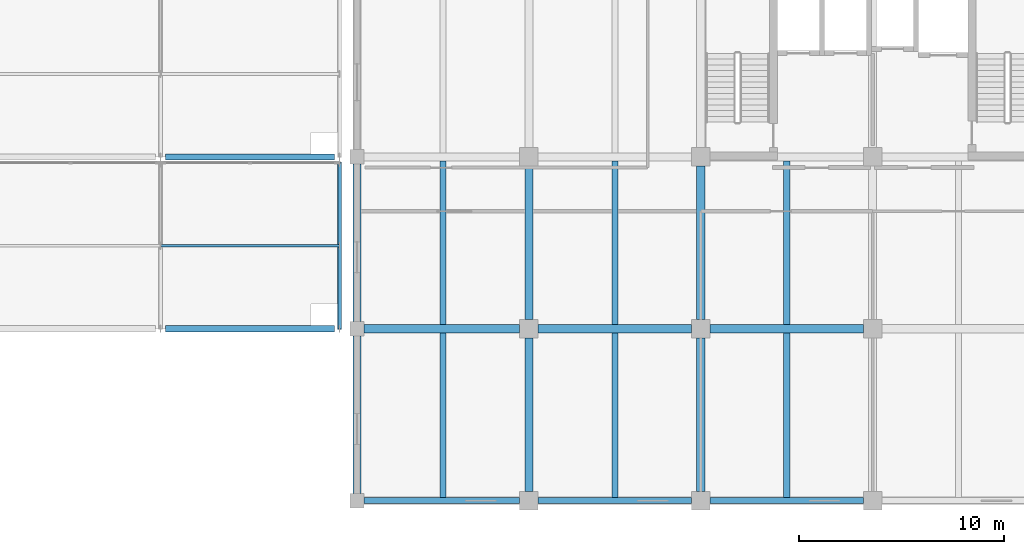
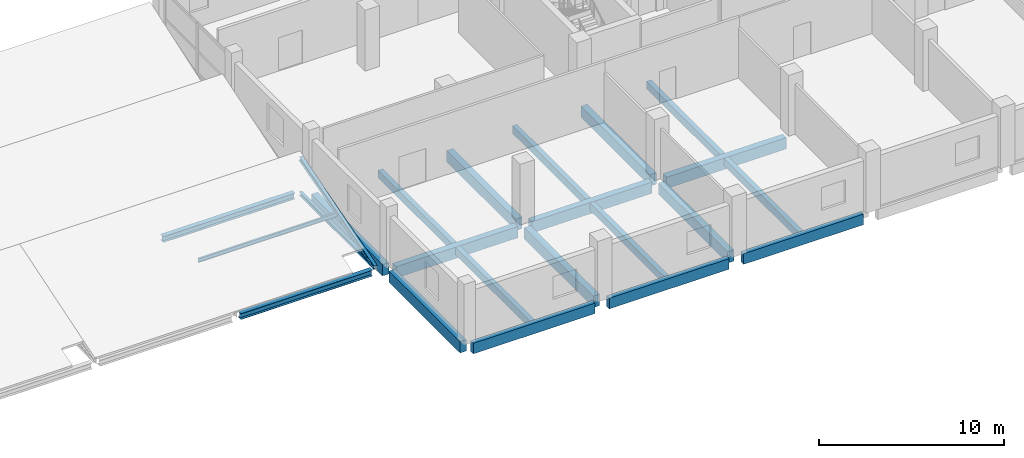
# One storey, part 21 of 40: 20 beams, 3 members.
"""IFC4 building model written with IfcOpenShell, lengths in metres."""

import ifcopenshell
import ifcopenshell.guid

model = None  # the IFC model being written
_history = None  # IfcOwnerHistory: only IFC2X3 demands one
_inside = {}  # id of a spatial element -> (the spatial element, [elements in it])
_under = {}  # id of a project, library or spatial element -> (it, [spatial elements below it])
_declared = {}  # id of a project -> (the project, [libraries it declares])
_typed = {}  # id of a type object -> (the type object, [elements of that type])
_made_of = {}  # id of a material, layer set ... -> (it, [elements and type objects made of it])


def new_model(schema):
    """Start an empty IFC model of exactly this schema.

    Asked for "IFC4X3", IfcOpenShell would pick the latest addendum, in which some entities
    have other attributes; the version numbers below select the first issue.
    IFC2X3 requires an IfcOwnerHistory on every rooted entity: one is made here for all.
    """
    global model, _history
    if schema == "IFC4X3":
        model = ifcopenshell.file(schema_version=(4, 3, 0, 0))
    else:
        model = ifcopenshell.file(schema=schema)
    _inside.clear()
    _under.clear()
    _declared.clear()
    _typed.clear()
    _made_of.clear()
    _history = None
    if model.schema == "IFC2X3":
        org = make("IfcOrganization", Name="unknown")
        user = make(
            "IfcPersonAndOrganization",
            ThePerson=make("IfcPerson", FamilyName="unknown"),
            TheOrganization=org,
        )
        app = make(
            "IfcApplication",
            ApplicationDeveloper=org,
            Version="unknown",
            ApplicationFullName="unknown",
            ApplicationIdentifier="unknown",
        )
        _history = make(
            "IfcOwnerHistory",
            OwningUser=user,
            OwningApplication=app,
            ChangeAction="ADDED",
            CreationDate=0,
        )
    return model


def make(cls, **values):
    """One entity of the class cls with the attributes given. An attribute that is None is left unset."""
    return model.create_entity(
        cls, **{name: value for name, value in values.items() if value is not None}
    )


def rooted(cls, **values):
    """An entity with a GlobalId (a new one), such as an element, a storey or a relation."""
    return make(cls, GlobalId=ifcopenshell.guid.new(), OwnerHistory=_history, **values)


def si_unit(unit_type, name, prefix=None):
    """IfcSIUnit, for example si_unit("LENGTHUNIT", "METRE", prefix="MILLI")."""
    return make("IfcSIUnit", UnitType=unit_type, Prefix=prefix, Name=name)


def assignment(units):
    """IfcUnitAssignment: the units of a project."""
    return None if units is None else make("IfcUnitAssignment", Units=units)


def point(xyz):
    """IfcCartesianPoint."""
    return None if xyz is None else make("IfcCartesianPoint", Coordinates=xyz)


def direction(xyz):
    """IfcDirection."""
    return None if xyz is None else make("IfcDirection", DirectionRatios=xyz)


def frame(location, z_axis=None, x_axis=None):
    """IfcAxis2Placement3D, a coordinate frame: its origin and axes. An axis left out is left unset."""
    return make(
        "IfcAxis2Placement3D",
        Location=point(location),
        Axis=direction(z_axis),
        RefDirection=direction(x_axis),
    )


def frame_2d(location, x_axis=None):
    """IfcAxis2Placement2D, a coordinate frame in the plane: its origin and x axis."""
    return make(
        "IfcAxis2Placement2D", Location=point(location), RefDirection=direction(x_axis)
    )


def origin():
    """The frame at (0, 0, 0) with its axes left unset."""
    return frame((0.0, 0.0, 0.0))


def origin_2d():
    """The frame at (0, 0) in the plane with its x axis left unset."""
    return frame_2d((0.0, 0.0))


def place(relative_to, where):
    """IfcLocalPlacement: puts the frame where relative to a parent placement (None: the world)."""
    return make(
        "IfcLocalPlacement", PlacementRelTo=relative_to, RelativePlacement=where
    )


def context(
    kind, dimensions, precision=None, world=None, true_north=None, identifier=None
):
    """IfcGeometricRepresentationContext, for example the 3D "Model" context."""
    return make(
        "IfcGeometricRepresentationContext",
        ContextIdentifier=identifier,
        ContextType=kind,
        CoordinateSpaceDimension=dimensions,
        Precision=precision,
        WorldCoordinateSystem=world,
        TrueNorth=true_north,
    )


def subcontext(parent, identifier, kind, view, scale=None):
    """IfcGeometricRepresentationSubContext, for example "Body" below "Model"."""
    return make(
        "IfcGeometricRepresentationSubContext",
        ContextIdentifier=identifier,
        ContextType=kind,
        ParentContext=parent,
        TargetScale=scale,
        TargetView=view,
    )


def project(units=None, contexts=None):
    """IfcProject with its units and contexts."""
    return rooted(
        "IfcProject",
        Name="project",
        RepresentationContexts=contexts,
        UnitsInContext=assignment(units),
    )


def spatial(cls, under=None, at=None, **own):
    """A site, building, storey or space (cls), placed at a placement, below another one or the project."""
    s = rooted(cls, ObjectPlacement=at, **own)
    if under is not None:
        _under.setdefault(under.id(), (under, []))[1].append(s)
    return s


def profile(cls, at=None, kind="AREA", **sizes):
    """A parametric profile (cls). Its sizes go by their IFC names, for example OverallWidth=200.0."""
    return make(cls, ProfileType=kind, Position=at, **sizes)


def rectangle(**sizes):
    """IfcRectangleProfileDef."""
    return profile("IfcRectangleProfileDef", **sizes)


def i_section(**sizes):
    """IfcIShapeProfileDef."""
    return profile("IfcIShapeProfileDef", **sizes)


def extrude(swept, where, along, depth):
    """IfcExtrudedAreaSolid: the profile swept, set in the frame where, extruded along a direction by depth."""
    return make(
        "IfcExtrudedAreaSolid",
        SweptArea=swept,
        Position=where,
        ExtrudedDirection=direction(along),
        Depth=depth,
    )


def shape(context_of_items, identifier, shape_type, items):
    """IfcShapeRepresentation: the items that make up one representation, for example the "Body"."""
    return make(
        "IfcShapeRepresentation",
        ContextOfItems=context_of_items,
        RepresentationIdentifier=identifier,
        RepresentationType=shape_type,
        Items=items,
    )


def material(Name=None, Category=None):
    """IfcMaterial."""
    return make("IfcMaterial", Name=Name, Category=Category)


def material_profile(
    of_material, cross_section, Name=None, Category=None, Priority=None
):
    """IfcMaterialProfile: a cross section and its material."""
    return make(
        "IfcMaterialProfile",
        Name=Name,
        Material=of_material,
        Profile=cross_section,
        Priority=Priority,
        Category=Category,
    )


def profile_set(profiles, Name=None, composite=None):
    """IfcMaterialProfileSet."""
    return make(
        "IfcMaterialProfileSet",
        Name=Name,
        MaterialProfiles=profiles,
        CompositeProfile=composite,
    )


def made_of(thing, what):
    """Note that an element or type object is made of a material, layer set ...; save() writes the relation."""
    if what is not None:
        _made_of.setdefault(what.id(), (what, []))[1].append(thing)
    return thing


def type_object(cls, material=None, **own):
    """A type object (cls), such as IfcWallType, which elements share."""
    return made_of(rooted(cls, **own), material)


def element(
    cls,
    number,
    at=None,
    inside=None,
    cuts=None,
    type_object=None,
    material=None,
    context=None,
    identifier="Body",
    shape_type=None,
    held_by="IfcProductDefinitionShape",
    body=None,
    shapes=None,
    **own,
):
    """One element of the class cls, such as IfcWall. Its Tag is "e" and its number.

    at: its placement. inside: the storey or other place that contains it. cuts: it is an
    opening in that element (IfcRelVoidsElement). A single representation is given by context,
    identifier, shape_type and body (its items); several are given by shapes. held_by: the class
    of the entity that holds the representations. save() writes the other relations.
    """
    e = rooted(cls, Tag="e%d" % number, ObjectPlacement=at, **own)
    if body is not None:
        shapes = [shape(context, identifier, shape_type, body)]
    if shapes is not None:
        e.Representation = make(held_by, Representations=shapes)
    if inside is not None:
        _inside.setdefault(inside.id(), (inside, []))[1].append(e)
    if cuts is not None:
        rooted(
            "IfcRelVoidsElement", RelatingBuildingElement=cuts, RelatedOpeningElement=e
        )
    if type_object is not None:
        _typed.setdefault(type_object.id(), (type_object, []))[1].append(e)
    return made_of(e, material)


def aggregate(whole, parts):
    """IfcRelAggregates: a whole, such as a stair, and the parts it consists of."""
    return rooted("IfcRelAggregates", RelatingObject=whole, RelatedObjects=parts)


def save(model, path):
    """Write the relations noted so far, then the file.

    IfcRelAggregates (storeys below a building ...), IfcRelContainedInSpatialStructure (elements
    in a storey), IfcRelDefinesByType, IfcRelAssociatesMaterial and IfcRelDeclares: one each for
    every whole, place, type object, material and project.
    """
    for whole, parts in _under.values():
        aggregate(whole, parts)
    for where, things in _inside.values():
        rooted(
            "IfcRelContainedInSpatialStructure",
            RelatedElements=things,
            RelatingStructure=where,
        )
    for kind, things in _typed.values():
        rooted("IfcRelDefinesByType", RelatedObjects=things, RelatingType=kind)
    for what, things in _made_of.values():
        rooted("IfcRelAssociatesMaterial", RelatedObjects=things, RelatingMaterial=what)
    for by, libraries in _declared.values():
        rooted("IfcRelDeclares", RelatingContext=by, RelatedDefinitions=libraries)
    model.write(path)


model = new_model("IFC4")

# Units and contexts
model_context = context("Model", 3, precision=1e-05, world=origin(), true_north=direction((0.0, 1.0)))
body_context = subcontext(model_context, "Body", "Model", "MODEL_VIEW")
ifc_project = project(units=[si_unit("LENGTHUNIT", "METRE"), si_unit("AREAUNIT", "SQUARE_METRE"), si_unit("VOLUMEUNIT", "CUBIC_METRE"), si_unit("PLANEANGLEUNIT", "RADIAN"), si_unit("MASSUNIT", "GRAM", prefix="KILO")], contexts=[model_context])

# Site, building, storey
site_placement = place(None, origin())
site = spatial("IfcSite", under=ifc_project, at=site_placement, CompositionType="ELEMENT")
building_placement = place(site_placement, origin())
building = spatial("IfcBuilding", under=site, at=building_placement, Name="Brinegate Botanical Conservatory", CompositionType="ELEMENT")
storey_placement = place(building_placement, frame((0.0, 0.0, 19.199951171875)))
storey = spatial("IfcBuildingStorey", under=building, at=storey_placement, Name="L05", CompositionType="ELEMENT", Elevation=19.199951171875)

# Beams
ifc_material_1 = material(Name="Structural steel Q355B / S355", Category="steel")
ifc_material_profile_1 = material_profile(ifc_material_1, i_section(OverallWidth=0.300048828125, OverallDepth=0.389892578125, WebThickness=0.010009765625, FlangeThickness=0.01611328125, at=origin_2d()), Name="HM 390x300x10x16")
ifc_profile_set_1 = profile_set([ifc_material_profile_1], Name="Structural steel Q355B / S355")
beam_type_1 = type_object("IfcBeamType", Name="Beam_BM-S5", PredefinedType="BEAM", material=ifc_profile_set_1)
for number, where, z_axis, x_axis, name in (
    (1, (112.64990234375, 86.800048828125, -0.179931640625), (1.0, 0.0, 0.0), (0.0, 1.0, 0.0), "Sawtooth valley girder BM-S5 B1.8"),
    (2, (112.64990234375, 95.199951171875, -0.179931640625), (1.0, 0.0, 0.0), (0.0, 1.0, 0.0), "Sawtooth valley girder BM-S5 B2.8"),
):
    element("IfcBeam", number, at=place(storey_placement, frame(where, z_axis=z_axis, x_axis=x_axis)), inside=storey, type_object=beam_type_1, Name=name, PredefinedType="BEAM", context=body_context, shape_type="SweptSolid", body=[
        extrude(i_section(OverallWidth=0.300048828125, OverallDepth=0.389892578125, WebThickness=0.010009765625, FlangeThickness=0.01611328125, at=origin_2d()), origin(), (0.0, 0.0, 1.0), 8.25),
    ])
ifc_material_2 = material(Name="Concrete C50/60", Category="concrete")
ifc_material_profile_2 = material_profile(ifc_material_2, rectangle(XDim=0.39990234375, YDim=0.75, at=origin_2d()), Name="RC BM 400x750")
ifc_profile_set_2 = profile_set([ifc_material_profile_2], Name="Concrete C50/60")
beam_type_2 = type_object("IfcBeamType", Name="Beam_BM-T1", PredefinedType="BEAM", material=ifc_profile_set_2)
beam_1_placement = place(storey_placement, frame((122.35009765625, 86.800048828125, -0.614990234375), z_axis=(1.0, 0.0, 0.0), x_axis=(0.0, 1.0, 0.0)))
element("IfcBeam", 3, at=beam_1_placement, inside=storey, type_object=beam_type_2, Name="Beam BM-T1 L05 L:16-17", PredefinedType="BEAM", context=body_context, shape_type="SweptSolid", body=[
    extrude(rectangle(XDim=0.39990234375, YDim=0.75, at=origin_2d()), origin(), (0.0, 0.0, 1.0), 7.599853515625),
])
for number, where, z_axis, x_axis, name in (
    (4, (130.85009765625, 86.800048828125, -0.614990234375), (1.0, 0.0, 0.0), (0.0, 1.0, 0.0), "Beam BM-T1 L05 L:17-18"),
    (5, (139.25, 86.800048828125, -0.614990234375), (1.0, 0.0, 0.0), (0.0, 1.0, 0.0), "Beam BM-T1 L05 L:18-19"),
):
    element("IfcBeam", number, at=place(storey_placement, frame(where, z_axis=z_axis, x_axis=x_axis)), inside=storey, type_object=beam_type_2, Name=name, PredefinedType="BEAM", context=body_context, shape_type="SweptSolid", body=[
        extrude(rectangle(XDim=0.39990234375, YDim=0.75, at=origin_2d()), origin(), (0.0, 0.0, 1.0), 7.5),
    ])
beam_2_placement = place(storey_placement, frame((122.0, 78.75, -0.614990234375), z_axis=(0.0, 1.0, 0.0), x_axis=(-1.0, 0.0, 0.0)))
element("IfcBeam", 6, at=beam_2_placement, inside=storey, type_object=beam_type_2, Name="Beam BM-T1 L05 16:K-L", PredefinedType="BEAM", context=body_context, shape_type="SweptSolid", body=[
    extrude(rectangle(XDim=0.39990234375, YDim=0.75, at=origin_2d()), origin(), (0.0, 0.0, 1.0), 7.699951171875),
])
beam_3_placement = place(storey_placement, frame((122.0, 87.14990234375, -0.614990234375), z_axis=(0.0, 1.0, 0.0), x_axis=(-1.0, 0.0, 0.0)))
element("IfcBeam", 7, at=beam_3_placement, inside=storey, type_object=beam_type_2, Name="Beam BM-T1 L05 16:L-M", PredefinedType="BEAM", context=body_context, shape_type="SweptSolid", body=[
    extrude(rectangle(XDim=0.39990234375, YDim=0.75, at=origin_2d()), origin(), (0.0, 0.0, 1.0), 7.7001953125),
])
for number, where, z_axis, x_axis, name in (
    (8, (130.39990234375, 78.85009765625, -0.614990234375), (0.0, 1.0, 0.0), (-1.0, 0.0, 0.0), "Beam BM-T1 L05 17:K-L"),
    (9, (130.39990234375, 87.25, -0.614990234375), (0.0, 1.0, 0.0), (-1.0, 0.0, 0.0), "Beam BM-T1 L05 17:L-M"),
    (10, (138.800048828125, 78.85009765625, -0.614990234375), (0.0, 1.0, 0.0), (-1.0, 0.0, 0.0), "Beam BM-T1 L05 18:K-L"),
    (11, (138.800048828125, 87.25, -0.614990234375), (0.0, 1.0, 0.0), (-1.0, 0.0, 0.0), "Beam BM-T1 L05 18:L-M"),
):
    element("IfcBeam", number, at=place(storey_placement, frame(where, z_axis=z_axis, x_axis=x_axis)), inside=storey, type_object=beam_type_2, Name=name, PredefinedType="BEAM", context=body_context, shape_type="SweptSolid", body=[
        extrude(rectangle(XDim=0.39990234375, YDim=0.75, at=origin_2d()), origin(), (0.0, 0.0, 1.0), 7.5),
    ])
ifc_material_3 = material(Name="Concrete C40/50", Category="concrete")
ifc_material_profile_3 = material_profile(ifc_material_3, rectangle(XDim=0.300048828125, YDim=0.5, at=origin_2d()), Name="RC JST 300x500")
ifc_profile_set_3 = profile_set([ifc_material_profile_3], Name="Concrete C40/50")
beam_type_3 = type_object("IfcBeamType", Name="Beam_JS-C2", PredefinedType="JOIST", material=ifc_profile_set_3)
beam_4_placement = place(storey_placement, frame((126.199951171875, 78.550048828125, -0.489990234375), z_axis=(0.0, 1.0, 0.0), x_axis=(-1.0, 0.0, 0.0)))
element("IfcBeam", 12, at=beam_4_placement, inside=storey, type_object=beam_type_3, Name="Floor joist JS-C2 L05 bay 16.10", PredefinedType="JOIST", context=body_context, shape_type="SweptSolid", body=[
    extrude(rectangle(XDim=0.300048828125, YDim=0.5, at=origin_2d()), origin(), (0.0, 0.0, 1.0), 8.050048828125),
])
beam_5_placement = place(storey_placement, frame((126.199951171875, 87.0, -0.489990234375), z_axis=(0.0, 1.0, 0.0), x_axis=(-1.0, 0.0, 0.0)))
element("IfcBeam", 13, at=beam_5_placement, inside=storey, type_object=beam_type_3, Name="Floor joist JS-C2 L05 bay 16.11", PredefinedType="JOIST", context=body_context, shape_type="SweptSolid", body=[
    extrude(rectangle(XDim=0.300048828125, YDim=0.5, at=origin_2d()), origin(), (0.0, 0.0, 1.0), 8.0),
])
beam_6_placement = place(storey_placement, frame((134.60009765625, 78.550048828125, -0.489990234375), z_axis=(0.0, 1.0, 0.0), x_axis=(-1.0, 0.0, 0.0)))
element("IfcBeam", 14, at=beam_6_placement, inside=storey, type_object=beam_type_3, Name="Floor joist JS-C2 L05 bay 17.10", PredefinedType="JOIST", context=body_context, shape_type="SweptSolid", body=[
    extrude(rectangle(XDim=0.300048828125, YDim=0.5, at=origin_2d()), origin(), (0.0, 0.0, 1.0), 8.050048828125),
])
beam_7_placement = place(storey_placement, frame((134.60009765625, 87.0, -0.489990234375), z_axis=(0.0, 1.0, 0.0), x_axis=(-1.0, 0.0, 0.0)))
element("IfcBeam", 15, at=beam_7_placement, inside=storey, type_object=beam_type_3, Name="Floor joist JS-C2 L05 bay 17.11", PredefinedType="JOIST", context=body_context, shape_type="SweptSolid", body=[
    extrude(rectangle(XDim=0.300048828125, YDim=0.5, at=origin_2d()), origin(), (0.0, 0.0, 1.0), 8.0),
])
beam_8_placement = place(storey_placement, frame((143.0, 78.550048828125, -0.489990234375), z_axis=(0.0, 1.0, 0.0), x_axis=(-1.0, 0.0, 0.0)))
element("IfcBeam", 16, at=beam_8_placement, inside=storey, type_object=beam_type_3, Name="Floor joist JS-C2 L05 bay 18.10", PredefinedType="JOIST", context=body_context, shape_type="SweptSolid", body=[
    extrude(rectangle(XDim=0.300048828125, YDim=0.5, at=origin_2d()), origin(), (0.0, 0.0, 1.0), 8.050048828125),
])
beam_9_placement = place(storey_placement, frame((143.0, 87.0, -0.489990234375), z_axis=(0.0, 1.0, 0.0), x_axis=(-1.0, 0.0, 0.0)))
element("IfcBeam", 17, at=beam_9_placement, inside=storey, type_object=beam_type_3, Name="Floor joist JS-C2 L05 bay 18.11", PredefinedType="JOIST", context=body_context, shape_type="SweptSolid", body=[
    extrude(rectangle(XDim=0.300048828125, YDim=0.5, at=origin_2d()), origin(), (0.0, 0.0, 1.0), 8.0),
])
ifc_material_profile_4 = material_profile(ifc_material_3, rectangle(XDim=0.300048828125, YDim=0.699951171875, at=origin_2d()), Name="RC SPN 300x700")
ifc_profile_set_4 = profile_set([ifc_material_profile_4], Name="Concrete C40/50")
beam_type_4 = type_object("IfcBeamType", Name="Beam_SP-02", PredefinedType="SPANDREL", material=ifc_profile_set_4)
beam_10_placement = place(storey_placement, frame((122.35009765625, 78.39990234375, -0.58984375), z_axis=(1.0, 0.0, 0.0), x_axis=(0.0, 1.0, 0.0)))
element("IfcBeam", 18, at=beam_10_placement, inside=storey, type_object=beam_type_4, Name="Beam SP-02 L05 K:16-17", PredefinedType="SPANDREL", context=body_context, shape_type="SweptSolid", body=[
    extrude(rectangle(XDim=0.300048828125, YDim=0.699951171875, at=origin_2d()), origin(), (0.0, 0.0, 1.0), 7.599853515625),
])
for number, where, z_axis, x_axis, name in (
    (19, (130.85009765625, 78.39990234375, -0.58984375), (1.0, 0.0, 0.0), (0.0, 1.0, 0.0), "Beam SP-02 L05 K:17-18"),
    (20, (139.25, 78.39990234375, -0.58984375), (1.0, 0.0, 0.0), (0.0, 1.0, 0.0), "Beam SP-02 L05 K:18-19"),
):
    element("IfcBeam", number, at=place(storey_placement, frame(where, z_axis=z_axis, x_axis=x_axis)), inside=storey, type_object=beam_type_4, Name=name, PredefinedType="SPANDREL", context=body_context, shape_type="SweptSolid", body=[
        extrude(rectangle(XDim=0.300048828125, YDim=0.699951171875, at=origin_2d()), origin(), (0.0, 0.0, 1.0), 7.5),
    ])

# Members
ifc_material_profile_5 = material_profile(ifc_material_1, i_section(OverallWidth=0.199951171875, OverallDepth=0.2939453125, WebThickness=0.008056640625, FlangeThickness=0.011962890625, at=origin_2d()), Name="HM 294x200x8x12")
ifc_profile_set_5 = profile_set([ifc_material_profile_5], Name="Structural steel Q355B / S355")
member_type_1 = type_object("IfcMemberType", Name="Member_SC-01", PredefinedType="CHORD", material=ifc_profile_set_5)
member_1_placement = place(storey_placement, frame((121.14990234375, 86.800048828125, 0.02001953125), z_axis=(0.0, 0.961026120246, 0.276457584822), x_axis=(-1.0, 0.0, 0.0)))
element("IfcMember", 21, at=member_1_placement, inside=storey, type_object=member_type_1, Name="Sawtooth rafter chord SC-01 B1.T9", PredefinedType="CHORD", context=body_context, shape_type="SweptSolid", body=[
    extrude(i_section(OverallWidth=0.199951171875, OverallDepth=0.2939453125, WebThickness=0.008056640625, FlangeThickness=0.011962890625, at=origin_2d()), origin(), (0.0, 0.0, 1.0), 8.42822265625),
])
ifc_material_profile_6 = material_profile(ifc_material_1, i_section(OverallWidth=0.175048828125, OverallDepth=0.243896484375, WebThickness=0.007080078125, FlangeThickness=0.010986328125, at=origin_2d()), Name="HM 244x175x7x11")
ifc_profile_set_6 = profile_set([ifc_material_profile_6], Name="Structural steel Q355B / S355")
member_type_2 = type_object("IfcMemberType", Name="Member_SC-02", PredefinedType="CHORD", material=ifc_profile_set_6)
member_2_placement = place(storey_placement, frame((121.14990234375, 86.800048828125, 0.02001953125), z_axis=(0.0, 1.0, 0.0), x_axis=(-1.0, 0.0, 0.0)))
element("IfcMember", 22, at=member_2_placement, inside=storey, type_object=member_type_2, Name="Sawtooth bottom tie SC-02 B1.T9", PredefinedType="CHORD", context=body_context, shape_type="SweptSolid", body=[
    extrude(i_section(OverallWidth=0.175048828125, OverallDepth=0.243896484375, WebThickness=0.007080078125, FlangeThickness=0.010986328125, at=origin_2d()), origin(), (0.0, 0.0, 1.0), 8.099853515625),
])
ifc_material_profile_7 = material_profile(ifc_material_1, i_section(OverallWidth=0.125, OverallDepth=0.25, WebThickness=0.006103515625, FlangeThickness=0.009033203125, at=origin_2d()), Name="HN 250x125x6x9")
ifc_profile_set_7 = profile_set([ifc_material_profile_7], Name="Structural steel Q355B / S355")
member_type_3 = type_object("IfcMemberType", Name="Member_SPU-01", PredefinedType="PURLIN", material=ifc_profile_set_7)
member_3_placement = place(storey_placement, frame((112.39990234375, 90.85009765625, 1.094970703125), z_axis=(1.0, 0.0, 0.0), x_axis=(0.0, 1.0, 0.0)))
element("IfcMember", 23, at=member_3_placement, inside=storey, type_object=member_type_3, Name="Sawtooth roof purlin SPU-01 B1.8", PredefinedType="PURLIN", context=body_context, shape_type="SweptSolid", body=[
    extrude(i_section(OverallWidth=0.125, OverallDepth=0.25, WebThickness=0.006103515625, FlangeThickness=0.009033203125, at=origin_2d()), origin(), (0.0, 0.0, 1.0), 8.75),
])

save(model, "model.ifc")
